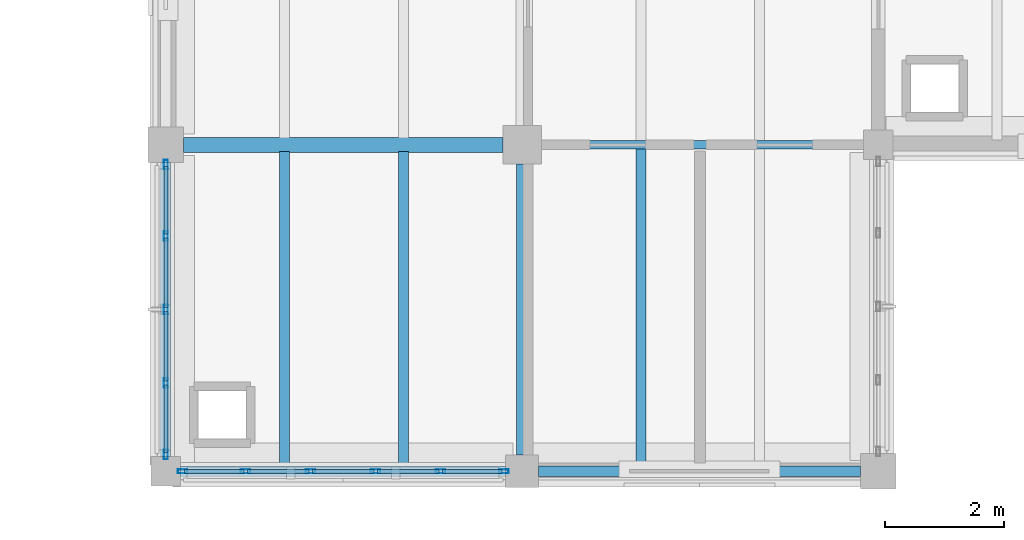
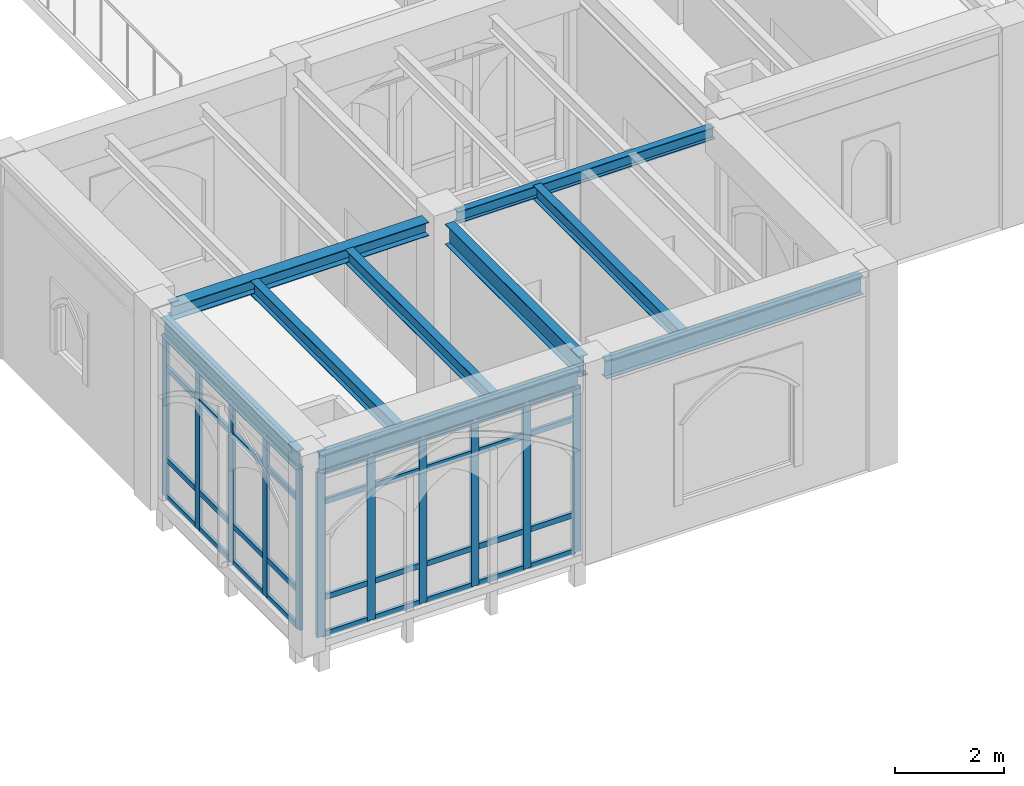
# One storey, part 43 of 127: 47 members, 9 beams, 2 elements without a shape of their own.
"""IFC4 building model written with IfcOpenShell, lengths in metres."""

from ifc_helpers import new_model, si_unit, direction, frame, origin, origin_2d, place, context, subcontext, project, spatial, hollow_rectangle, i_section, extrude, material, layer, layer_set, material_profile, profile_set, type_object, element, aggregate, save


model = new_model("IFC4")

# Units and contexts
model_context = context("Model", 3, precision=1e-05, world=origin(), true_north=direction((0.0, 1.0)))
body_context = subcontext(model_context, "Body", "Model", "MODEL_VIEW")
ifc_project = project(units=[si_unit("LENGTHUNIT", "METRE"), si_unit("AREAUNIT", "SQUARE_METRE"), si_unit("VOLUMEUNIT", "CUBIC_METRE"), si_unit("PLANEANGLEUNIT", "RADIAN"), si_unit("MASSUNIT", "GRAM", prefix="KILO")], contexts=[model_context])

# Site, building, storey
site_placement = place(None, origin())
site = spatial("IfcSite", under=ifc_project, at=site_placement, CompositionType="ELEMENT")
building_placement = place(site_placement, origin())
building = spatial("IfcBuilding", under=site, at=building_placement, Name="Cumevento Cable Car Station", CompositionType="ELEMENT")
storey_placement = place(building_placement, frame((0.0, 0.0, 4.5)))
storey = spatial("IfcBuildingStorey", under=building, at=storey_placement, Name="L02", CompositionType="ELEMENT", Elevation=4.5)

# Curtain wall, members
ifc_material_1 = material(Name="Anodised Bronze Aluminium AW-6063-T6", Category="aluminium")
ifc_layer_1 = layer(ifc_material_1, 0.159912109375)
ifc_layer_set_1 = layer_set([ifc_layer_1], Name="Anodised Bronze Aluminium AW-6063-T6")
curtain_wall_type_1 = type_object("IfcCurtainWallType", Name="Lancet Curtain Wall CW-01 1050", PredefinedType="NOTDEFINED", material=ifc_layer_set_1)
curtain_wall_1_placement = place(storey_placement, origin())
curtain_wall_1 = element("IfcCurtainWall", 1, at=curtain_wall_1_placement, inside=storey, type_object=curtain_wall_type_1, Name="Lancet Curtain Wall CW-01 L02 #32", PredefinedType="NOTDEFINED")
ifc_material_2 = material(Name="Anodised Bronze Aluminium AW-6063-T6", Category="aluminium")
ifc_material_profile_1 = material_profile(ifc_material_2, hollow_rectangle(XDim=0.06494140625, YDim=0.159912109375, WallThickness=0.00390625, at=origin_2d()), Name="ALUM65x160x4")
ifc_profile_set_1 = profile_set([ifc_material_profile_1], Name="Anodised Bronze Aluminium AW-6063-T6")
member_type_1 = type_object("IfcMemberType", Name="Curtain Mullion CWM-01 ALUM65x160x4", PredefinedType="MULLION", material=ifc_profile_set_1)
member_1_placement = place(storey_placement, frame((111.6923828125, 4.0, 0.159912109375), z_axis=(0.0, 0.0, 1.0), x_axis=(0.0, -1.0, 0.0)))
member_1 = element("IfcMember", 2, at=member_1_placement, type_object=member_type_1, Name="CW-01 mullion 1", PredefinedType="MULLION", context=body_context, shape_type="SweptSolid", body=[
    extrude(hollow_rectangle(XDim=0.06494140625, YDim=0.159912109375, WallThickness=0.00390625, at=origin_2d()), origin(), (0.0, 0.0, 1.0), 3.68310546875),
])
member_2_placement = place(storey_placement, frame((110.6298828125, 4.0, 0.159912109375), z_axis=(0.0, 0.0, 1.0), x_axis=(0.0, -1.0, 0.0)))
member_2 = element("IfcMember", 3, at=member_2_placement, type_object=member_type_1, Name="CW-01 mullion 2", PredefinedType="MULLION", context=body_context, shape_type="SweptSolid", body=[
    extrude(hollow_rectangle(XDim=0.06494140625, YDim=0.159912109375, WallThickness=0.00390625, at=origin_2d()), origin(), (0.0, 0.0, 1.0), 3.68310546875),
])
member_3_placement = place(storey_placement, frame((109.534912109375, 4.0, 0.159912109375), z_axis=(0.0, 0.0, 1.0), x_axis=(0.0, -1.0, 0.0)))
member_3 = element("IfcMember", 4, at=member_3_placement, type_object=member_type_1, Name="CW-01 mullion 3", PredefinedType="MULLION", context=body_context, shape_type="SweptSolid", body=[
    extrude(hollow_rectangle(XDim=0.06494140625, YDim=0.159912109375, WallThickness=0.00390625, at=origin_2d()), origin(), (0.0, 0.0, 1.0), 3.68310546875),
])
member_4_placement = place(storey_placement, frame((108.43994140625, 4.0, 0.159912109375), z_axis=(0.0, 0.0, 1.0), x_axis=(0.0, -1.0, 0.0)))
member_4 = element("IfcMember", 5, at=member_4_placement, type_object=member_type_1, Name="CW-01 mullion 4", PredefinedType="MULLION", context=body_context, shape_type="SweptSolid", body=[
    extrude(hollow_rectangle(XDim=0.06494140625, YDim=0.159912109375, WallThickness=0.00390625, at=origin_2d()), origin(), (0.0, 0.0, 1.0), 3.68310546875),
])
member_5_placement = place(storey_placement, frame((107.344970703125, 4.0, 0.159912109375), z_axis=(0.0, 0.0, 1.0), x_axis=(0.0, -1.0, 0.0)))
member_5 = element("IfcMember", 6, at=member_5_placement, type_object=member_type_1, Name="CW-01 mullion 5", PredefinedType="MULLION", context=body_context, shape_type="SweptSolid", body=[
    extrude(hollow_rectangle(XDim=0.06494140625, YDim=0.159912109375, WallThickness=0.00390625, at=origin_2d()), origin(), (0.0, 0.0, 1.0), 3.68310546875),
])
member_6_placement = place(storey_placement, frame((106.282470703125, 4.0, 0.159912109375), z_axis=(0.0, 0.0, 1.0), x_axis=(0.0, -1.0, 0.0)))
member_6 = element("IfcMember", 7, at=member_6_placement, type_object=member_type_1, Name="CW-01 mullion 6", PredefinedType="MULLION", context=body_context, shape_type="SweptSolid", body=[
    extrude(hollow_rectangle(XDim=0.06494140625, YDim=0.159912109375, WallThickness=0.00390625, at=origin_2d()), origin(), (0.0, 0.0, 1.0), 3.68310546875),
])

ifc_material_3 = material(Name="Anodised Bronze Aluminium AW-6063-T6", Category="aluminium")
ifc_layer_2 = layer(ifc_material_3, 0.172119140625)
ifc_layer_set_2 = layer_set([ifc_layer_2], Name="Anodised Bronze Aluminium AW-6063-T6")
curtain_wall_type_2 = type_object("IfcCurtainWallType", Name="Lancet Curtain Wall CW-03 1130", PredefinedType="NOTDEFINED", material=ifc_layer_set_2)
curtain_wall_2_placement = place(storey_placement, origin())
curtain_wall_2 = element("IfcCurtainWall", 8, at=curtain_wall_2_placement, inside=storey, type_object=curtain_wall_type_2, Name="Lancet Curtain Wall CW-03 L02 #34", PredefinedType="NOTDEFINED")
member_7_placement = place(storey_placement, frame((106.0, 4.282470703125, 0.260009765625), z_axis=(0.0, 0.0, 1.0), x_axis=(-1.0, 0.0, 0.0)))
member_7 = element("IfcMember", 9, at=member_7_placement, type_object=member_type_1, Name="CW-03 mullion 1", PredefinedType="MULLION", context=body_context, shape_type="SweptSolid", body=[
    extrude(hollow_rectangle(XDim=0.06494140625, YDim=0.159912109375, WallThickness=0.00390625, at=origin_2d()), origin(), (0.0, 0.0, 1.0), 3.5830078125),
])
member_8_placement = place(storey_placement, frame((106.0, 5.487548828125, 0.260009765625), z_axis=(0.0, 0.0, 1.0), x_axis=(-1.0, 0.0, 0.0)))
member_8 = element("IfcMember", 10, at=member_8_placement, type_object=member_type_1, Name="CW-03 mullion 2", PredefinedType="MULLION", context=body_context, shape_type="SweptSolid", body=[
    extrude(hollow_rectangle(XDim=0.06494140625, YDim=0.159912109375, WallThickness=0.00390625, at=origin_2d()), origin(), (0.0, 0.0, 1.0), 3.5830078125),
])
member_9_placement = place(storey_placement, frame((106.0, 6.72509765625, 0.260009765625), z_axis=(0.0, 0.0, 1.0), x_axis=(-1.0, 0.0, 0.0)))
member_9 = element("IfcMember", 11, at=member_9_placement, type_object=member_type_1, Name="CW-03 mullion 3", PredefinedType="MULLION", context=body_context, shape_type="SweptSolid", body=[
    extrude(hollow_rectangle(XDim=0.06494140625, YDim=0.159912109375, WallThickness=0.00390625, at=origin_2d()), origin(), (0.0, 0.0, 1.0), 3.5830078125),
])
member_10_placement = place(storey_placement, frame((106.0, 7.96240234375, 0.260009765625), z_axis=(0.0, 0.0, 1.0), x_axis=(-1.0, 0.0, 0.0)))
member_10 = element("IfcMember", 12, at=member_10_placement, type_object=member_type_1, Name="CW-03 mullion 4", PredefinedType="MULLION", context=body_context, shape_type="SweptSolid", body=[
    extrude(hollow_rectangle(XDim=0.06494140625, YDim=0.159912109375, WallThickness=0.00390625, at=origin_2d()), origin(), (0.0, 0.0, 1.0), 3.5830078125),
])
member_11_placement = place(storey_placement, frame((106.0, 9.16748046875, 0.260009765625), z_axis=(0.0, 0.0, 1.0), x_axis=(-1.0, 0.0, 0.0)))
member_11 = element("IfcMember", 13, at=member_11_placement, type_object=member_type_1, Name="CW-03 mullion 5", PredefinedType="MULLION", context=body_context, shape_type="SweptSolid", body=[
    extrude(hollow_rectangle(XDim=0.06494140625, YDim=0.159912109375, WallThickness=0.00390625, at=origin_2d()), origin(), (0.0, 0.0, 1.0), 3.5830078125),
])

# Member
ifc_material_4 = material(Name="Anodised Bronze Aluminium AW-6063-T6", Category="aluminium")
ifc_material_profile_2 = material_profile(ifc_material_4, hollow_rectangle(XDim=0.06494140625, YDim=0.1201171875, WallThickness=0.00390625, at=origin_2d()), Name="ALUT65x120x4")
ifc_profile_set_2 = profile_set([ifc_material_profile_2], Name="Anodised Bronze Aluminium AW-6063-T6")
member_type_2 = type_object("IfcMemberType", Name="Curtain Transom CWT-01 ALUT65x120x4", PredefinedType="USERDEFINED", material=ifc_profile_set_2)
member_12_placement = place(storey_placement, frame((111.659912109375, 4.0, 0.1923828125), z_axis=(-1.0, 0.0, 0.0), x_axis=(0.0, -1.0, 0.0)))
member_12 = element("IfcMember", 14, at=member_12_placement, type_object=member_type_2, Name="CW-01 transom 1.1", ObjectType="TRANSOM", PredefinedType="USERDEFINED", context=body_context, shape_type="SweptSolid", body=[
    extrude(hollow_rectangle(XDim=0.06494140625, YDim=0.1201171875, WallThickness=0.00390625, at=origin_2d()), origin(), (0.0, 0.0, 1.0), 0.997314453125),
])

member_13_placement = place(storey_placement, frame((111.659912109375, 4.0, 1.010009765625), z_axis=(-1.0, 0.0, 0.0), x_axis=(0.0, -1.0, 0.0)))
member_13 = element("IfcMember", 15, at=member_13_placement, type_object=member_type_2, Name="CW-01 transom 1.2", ObjectType="TRANSOM", PredefinedType="USERDEFINED", context=body_context, shape_type="SweptSolid", body=[
    extrude(hollow_rectangle(XDim=0.06494140625, YDim=0.1201171875, WallThickness=0.00390625, at=origin_2d()), origin(), (0.0, 0.0, 1.0), 0.997314453125),
])

member_14_placement = place(storey_placement, frame((111.659912109375, 4.0, 3.14306640625), z_axis=(-1.0, 0.0, 0.0), x_axis=(0.0, -1.0, 0.0)))
member_14 = element("IfcMember", 16, at=member_14_placement, type_object=member_type_2, Name="CW-01 transom 1.3", ObjectType="TRANSOM", PredefinedType="USERDEFINED", context=body_context, shape_type="SweptSolid", body=[
    extrude(hollow_rectangle(XDim=0.06494140625, YDim=0.1201171875, WallThickness=0.00390625, at=origin_2d()), origin(), (0.0, 0.0, 1.0), 0.997314453125),
])

member_15_placement = place(storey_placement, frame((111.659912109375, 4.0, 3.810546875), z_axis=(-1.0, 0.0, 0.0), x_axis=(0.0, -1.0, 0.0)))
member_15 = element("IfcMember", 17, at=member_15_placement, type_object=member_type_2, Name="CW-01 transom 1.4", ObjectType="TRANSOM", PredefinedType="USERDEFINED", context=body_context, shape_type="SweptSolid", body=[
    extrude(hollow_rectangle(XDim=0.06494140625, YDim=0.1201171875, WallThickness=0.00390625, at=origin_2d()), origin(), (0.0, 0.0, 1.0), 0.997314453125),
])

member_16_placement = place(storey_placement, frame((110.597412109375, 4.0, 0.1923828125), z_axis=(-1.0, 0.0, 0.0), x_axis=(0.0, -1.0, 0.0)))
member_16 = element("IfcMember", 18, at=member_16_placement, type_object=member_type_2, Name="CW-01 transom 2.1", ObjectType="TRANSOM", PredefinedType="USERDEFINED", context=body_context, shape_type="SweptSolid", body=[
    extrude(hollow_rectangle(XDim=0.06494140625, YDim=0.1201171875, WallThickness=0.00390625, at=origin_2d()), origin(), (0.0, 0.0, 1.0), 1.030029296875),
])

member_17_placement = place(storey_placement, frame((110.597412109375, 4.0, 1.010009765625), z_axis=(-1.0, 0.0, 0.0), x_axis=(0.0, -1.0, 0.0)))
member_17 = element("IfcMember", 19, at=member_17_placement, type_object=member_type_2, Name="CW-01 transom 2.2", ObjectType="TRANSOM", PredefinedType="USERDEFINED", context=body_context, shape_type="SweptSolid", body=[
    extrude(hollow_rectangle(XDim=0.06494140625, YDim=0.1201171875, WallThickness=0.00390625, at=origin_2d()), origin(), (0.0, 0.0, 1.0), 1.030029296875),
])

member_18_placement = place(storey_placement, frame((110.597412109375, 4.0, 3.14306640625), z_axis=(-1.0, 0.0, 0.0), x_axis=(0.0, -1.0, 0.0)))
member_18 = element("IfcMember", 20, at=member_18_placement, type_object=member_type_2, Name="CW-01 transom 2.3", ObjectType="TRANSOM", PredefinedType="USERDEFINED", context=body_context, shape_type="SweptSolid", body=[
    extrude(hollow_rectangle(XDim=0.06494140625, YDim=0.1201171875, WallThickness=0.00390625, at=origin_2d()), origin(), (0.0, 0.0, 1.0), 1.030029296875),
])

member_19_placement = place(storey_placement, frame((110.597412109375, 4.0, 3.810546875), z_axis=(-1.0, 0.0, 0.0), x_axis=(0.0, -1.0, 0.0)))
member_19 = element("IfcMember", 21, at=member_19_placement, type_object=member_type_2, Name="CW-01 transom 2.4", ObjectType="TRANSOM", PredefinedType="USERDEFINED", context=body_context, shape_type="SweptSolid", body=[
    extrude(hollow_rectangle(XDim=0.06494140625, YDim=0.1201171875, WallThickness=0.00390625, at=origin_2d()), origin(), (0.0, 0.0, 1.0), 1.030029296875),
])

member_20_placement = place(storey_placement, frame((109.50244140625, 4.0, 0.1923828125), z_axis=(-1.0, 0.0, 0.0), x_axis=(0.0, -1.0, 0.0)))
member_20 = element("IfcMember", 22, at=member_20_placement, type_object=member_type_2, Name="CW-01 transom 3.1", ObjectType="TRANSOM", PredefinedType="USERDEFINED", context=body_context, shape_type="SweptSolid", body=[
    extrude(hollow_rectangle(XDim=0.06494140625, YDim=0.1201171875, WallThickness=0.00390625, at=origin_2d()), origin(), (0.0, 0.0, 1.0), 1.030029296875),
])

member_21_placement = place(storey_placement, frame((109.50244140625, 4.0, 1.010009765625), z_axis=(-1.0, 0.0, 0.0), x_axis=(0.0, -1.0, 0.0)))
member_21 = element("IfcMember", 23, at=member_21_placement, type_object=member_type_2, Name="CW-01 transom 3.2", ObjectType="TRANSOM", PredefinedType="USERDEFINED", context=body_context, shape_type="SweptSolid", body=[
    extrude(hollow_rectangle(XDim=0.06494140625, YDim=0.1201171875, WallThickness=0.00390625, at=origin_2d()), origin(), (0.0, 0.0, 1.0), 1.030029296875),
])

member_22_placement = place(storey_placement, frame((109.50244140625, 4.0, 3.14306640625), z_axis=(-1.0, 0.0, 0.0), x_axis=(0.0, -1.0, 0.0)))
member_22 = element("IfcMember", 24, at=member_22_placement, type_object=member_type_2, Name="CW-01 transom 3.3", ObjectType="TRANSOM", PredefinedType="USERDEFINED", context=body_context, shape_type="SweptSolid", body=[
    extrude(hollow_rectangle(XDim=0.06494140625, YDim=0.1201171875, WallThickness=0.00390625, at=origin_2d()), origin(), (0.0, 0.0, 1.0), 1.030029296875),
])

member_23_placement = place(storey_placement, frame((109.50244140625, 4.0, 3.810546875), z_axis=(-1.0, 0.0, 0.0), x_axis=(0.0, -1.0, 0.0)))
member_23 = element("IfcMember", 25, at=member_23_placement, type_object=member_type_2, Name="CW-01 transom 3.4", ObjectType="TRANSOM", PredefinedType="USERDEFINED", context=body_context, shape_type="SweptSolid", body=[
    extrude(hollow_rectangle(XDim=0.06494140625, YDim=0.1201171875, WallThickness=0.00390625, at=origin_2d()), origin(), (0.0, 0.0, 1.0), 1.030029296875),
])

member_24_placement = place(storey_placement, frame((108.407470703125, 4.0, 0.1923828125), z_axis=(-1.0, 0.0, 0.0), x_axis=(0.0, -1.0, 0.0)))
member_24 = element("IfcMember", 26, at=member_24_placement, type_object=member_type_2, Name="CW-01 transom 4.1", ObjectType="TRANSOM", PredefinedType="USERDEFINED", context=body_context, shape_type="SweptSolid", body=[
    extrude(hollow_rectangle(XDim=0.06494140625, YDim=0.1201171875, WallThickness=0.00390625, at=origin_2d()), origin(), (0.0, 0.0, 1.0), 1.030029296875),
])

member_25_placement = place(storey_placement, frame((108.407470703125, 4.0, 1.010009765625), z_axis=(-1.0, 0.0, 0.0), x_axis=(0.0, -1.0, 0.0)))
member_25 = element("IfcMember", 27, at=member_25_placement, type_object=member_type_2, Name="CW-01 transom 4.2", ObjectType="TRANSOM", PredefinedType="USERDEFINED", context=body_context, shape_type="SweptSolid", body=[
    extrude(hollow_rectangle(XDim=0.06494140625, YDim=0.1201171875, WallThickness=0.00390625, at=origin_2d()), origin(), (0.0, 0.0, 1.0), 1.030029296875),
])

member_26_placement = place(storey_placement, frame((108.407470703125, 4.0, 3.14306640625), z_axis=(-1.0, 0.0, 0.0), x_axis=(0.0, -1.0, 0.0)))
member_26 = element("IfcMember", 28, at=member_26_placement, type_object=member_type_2, Name="CW-01 transom 4.3", ObjectType="TRANSOM", PredefinedType="USERDEFINED", context=body_context, shape_type="SweptSolid", body=[
    extrude(hollow_rectangle(XDim=0.06494140625, YDim=0.1201171875, WallThickness=0.00390625, at=origin_2d()), origin(), (0.0, 0.0, 1.0), 1.030029296875),
])

member_27_placement = place(storey_placement, frame((108.407470703125, 4.0, 3.810546875), z_axis=(-1.0, 0.0, 0.0), x_axis=(0.0, -1.0, 0.0)))
member_27 = element("IfcMember", 29, at=member_27_placement, type_object=member_type_2, Name="CW-01 transom 4.4", ObjectType="TRANSOM", PredefinedType="USERDEFINED", context=body_context, shape_type="SweptSolid", body=[
    extrude(hollow_rectangle(XDim=0.06494140625, YDim=0.1201171875, WallThickness=0.00390625, at=origin_2d()), origin(), (0.0, 0.0, 1.0), 1.030029296875),
])

member_28_placement = place(storey_placement, frame((107.3125, 4.0, 0.1923828125), z_axis=(-1.0, 0.0, 0.0), x_axis=(0.0, -1.0, 0.0)))
member_28 = element("IfcMember", 30, at=member_28_placement, type_object=member_type_2, Name="CW-01 transom 5.1", ObjectType="TRANSOM", PredefinedType="USERDEFINED", context=body_context, shape_type="SweptSolid", body=[
    extrude(hollow_rectangle(XDim=0.06494140625, YDim=0.1201171875, WallThickness=0.00390625, at=origin_2d()), origin(), (0.0, 0.0, 1.0), 0.99755859375),
])

member_29_placement = place(storey_placement, frame((107.3125, 4.0, 1.010009765625), z_axis=(-1.0, 0.0, 0.0), x_axis=(0.0, -1.0, 0.0)))
member_29 = element("IfcMember", 31, at=member_29_placement, type_object=member_type_2, Name="CW-01 transom 5.2", ObjectType="TRANSOM", PredefinedType="USERDEFINED", context=body_context, shape_type="SweptSolid", body=[
    extrude(hollow_rectangle(XDim=0.06494140625, YDim=0.1201171875, WallThickness=0.00390625, at=origin_2d()), origin(), (0.0, 0.0, 1.0), 0.99755859375),
])

member_30_placement = place(storey_placement, frame((107.3125, 4.0, 3.14306640625), z_axis=(-1.0, 0.0, 0.0), x_axis=(0.0, -1.0, 0.0)))
member_30 = element("IfcMember", 32, at=member_30_placement, type_object=member_type_2, Name="CW-01 transom 5.3", ObjectType="TRANSOM", PredefinedType="USERDEFINED", context=body_context, shape_type="SweptSolid", body=[
    extrude(hollow_rectangle(XDim=0.06494140625, YDim=0.1201171875, WallThickness=0.00390625, at=origin_2d()), origin(), (0.0, 0.0, 1.0), 0.99755859375),
])

member_31_placement = place(storey_placement, frame((107.3125, 4.0, 3.810546875), z_axis=(-1.0, 0.0, 0.0), x_axis=(0.0, -1.0, 0.0)))
member_31 = element("IfcMember", 33, at=member_31_placement, type_object=member_type_2, Name="CW-01 transom 5.4", ObjectType="TRANSOM", PredefinedType="USERDEFINED", context=body_context, shape_type="SweptSolid", body=[
    extrude(hollow_rectangle(XDim=0.06494140625, YDim=0.1201171875, WallThickness=0.00390625, at=origin_2d()), origin(), (0.0, 0.0, 1.0), 0.99755859375),
])

aggregate(curtain_wall_1, [member_1, member_2, member_3, member_4, member_5, member_6, member_12, member_13, member_14, member_15, member_16, member_17, member_18, member_19, member_20, member_21, member_22, member_23, member_24, member_25, member_26, member_27, member_28, member_29, member_30, member_31])

member_32_placement = place(storey_placement, frame((106.0, 4.31494140625, 0.29248046875), z_axis=(0.0, 1.0, 0.0), x_axis=(-1.0, 0.0, 0.0)))
member_32 = element("IfcMember", 34, at=member_32_placement, type_object=member_type_2, Name="CW-03 transom 1.1", ObjectType="TRANSOM", PredefinedType="USERDEFINED", context=body_context, shape_type="SweptSolid", body=[
    extrude(hollow_rectangle(XDim=0.06494140625, YDim=0.1201171875, WallThickness=0.00390625, at=origin_2d()), origin(), (0.0, 0.0, 1.0), 1.14013671875),
])

member_33_placement = place(storey_placement, frame((106.0, 4.31494140625, 1.110107421875), z_axis=(0.0, 1.0, 0.0), x_axis=(-1.0, 0.0, 0.0)))
member_33 = element("IfcMember", 35, at=member_33_placement, type_object=member_type_2, Name="CW-03 transom 1.2", ObjectType="TRANSOM", PredefinedType="USERDEFINED", context=body_context, shape_type="SweptSolid", body=[
    extrude(hollow_rectangle(XDim=0.06494140625, YDim=0.1201171875, WallThickness=0.00390625, at=origin_2d()), origin(), (0.0, 0.0, 1.0), 1.14013671875),
])

member_34_placement = place(storey_placement, frame((106.0, 4.31494140625, 3.14306640625), z_axis=(0.0, 1.0, 0.0), x_axis=(-1.0, 0.0, 0.0)))
member_34 = element("IfcMember", 36, at=member_34_placement, type_object=member_type_2, Name="CW-03 transom 1.3", ObjectType="TRANSOM", PredefinedType="USERDEFINED", context=body_context, shape_type="SweptSolid", body=[
    extrude(hollow_rectangle(XDim=0.06494140625, YDim=0.1201171875, WallThickness=0.00390625, at=origin_2d()), origin(), (0.0, 0.0, 1.0), 1.14013671875),
])

member_35_placement = place(storey_placement, frame((106.0, 4.31494140625, 3.810546875), z_axis=(0.0, 1.0, 0.0), x_axis=(-1.0, 0.0, 0.0)))
member_35 = element("IfcMember", 37, at=member_35_placement, type_object=member_type_2, Name="CW-03 transom 1.4", ObjectType="TRANSOM", PredefinedType="USERDEFINED", context=body_context, shape_type="SweptSolid", body=[
    extrude(hollow_rectangle(XDim=0.06494140625, YDim=0.1201171875, WallThickness=0.00390625, at=origin_2d()), origin(), (0.0, 0.0, 1.0), 1.14013671875),
])

member_36_placement = place(storey_placement, frame((106.0, 5.52001953125, 0.29248046875), z_axis=(0.0, 1.0, 0.0), x_axis=(-1.0, 0.0, 0.0)))
member_36 = element("IfcMember", 38, at=member_36_placement, type_object=member_type_2, Name="CW-03 transom 2.1", ObjectType="TRANSOM", PredefinedType="USERDEFINED", context=body_context, shape_type="SweptSolid", body=[
    extrude(hollow_rectangle(XDim=0.06494140625, YDim=0.1201171875, WallThickness=0.00390625, at=origin_2d()), origin(), (0.0, 0.0, 1.0), 1.17236328125),
])

member_37_placement = place(storey_placement, frame((106.0, 5.52001953125, 1.110107421875), z_axis=(0.0, 1.0, 0.0), x_axis=(-1.0, 0.0, 0.0)))
member_37 = element("IfcMember", 39, at=member_37_placement, type_object=member_type_2, Name="CW-03 transom 2.2", ObjectType="TRANSOM", PredefinedType="USERDEFINED", context=body_context, shape_type="SweptSolid", body=[
    extrude(hollow_rectangle(XDim=0.06494140625, YDim=0.1201171875, WallThickness=0.00390625, at=origin_2d()), origin(), (0.0, 0.0, 1.0), 1.17236328125),
])

member_38_placement = place(storey_placement, frame((106.0, 5.52001953125, 3.14306640625), z_axis=(0.0, 1.0, 0.0), x_axis=(-1.0, 0.0, 0.0)))
member_38 = element("IfcMember", 40, at=member_38_placement, type_object=member_type_2, Name="CW-03 transom 2.3", ObjectType="TRANSOM", PredefinedType="USERDEFINED", context=body_context, shape_type="SweptSolid", body=[
    extrude(hollow_rectangle(XDim=0.06494140625, YDim=0.1201171875, WallThickness=0.00390625, at=origin_2d()), origin(), (0.0, 0.0, 1.0), 1.17236328125),
])

member_39_placement = place(storey_placement, frame((106.0, 5.52001953125, 3.810546875), z_axis=(0.0, 1.0, 0.0), x_axis=(-1.0, 0.0, 0.0)))
member_39 = element("IfcMember", 41, at=member_39_placement, type_object=member_type_2, Name="CW-03 transom 2.4", ObjectType="TRANSOM", PredefinedType="USERDEFINED", context=body_context, shape_type="SweptSolid", body=[
    extrude(hollow_rectangle(XDim=0.06494140625, YDim=0.1201171875, WallThickness=0.00390625, at=origin_2d()), origin(), (0.0, 0.0, 1.0), 1.17236328125),
])

member_40_placement = place(storey_placement, frame((106.0, 6.757568359375, 0.29248046875), z_axis=(0.0, 1.0, 0.0), x_axis=(-1.0, 0.0, 0.0)))
member_40 = element("IfcMember", 42, at=member_40_placement, type_object=member_type_2, Name="CW-03 transom 3.1", ObjectType="TRANSOM", PredefinedType="USERDEFINED", context=body_context, shape_type="SweptSolid", body=[
    extrude(hollow_rectangle(XDim=0.06494140625, YDim=0.1201171875, WallThickness=0.00390625, at=origin_2d()), origin(), (0.0, 0.0, 1.0), 1.17236328125),
])

member_41_placement = place(storey_placement, frame((106.0, 6.757568359375, 1.110107421875), z_axis=(0.0, 1.0, 0.0), x_axis=(-1.0, 0.0, 0.0)))
member_41 = element("IfcMember", 43, at=member_41_placement, type_object=member_type_2, Name="CW-03 transom 3.2", ObjectType="TRANSOM", PredefinedType="USERDEFINED", context=body_context, shape_type="SweptSolid", body=[
    extrude(hollow_rectangle(XDim=0.06494140625, YDim=0.1201171875, WallThickness=0.00390625, at=origin_2d()), origin(), (0.0, 0.0, 1.0), 1.17236328125),
])

member_42_placement = place(storey_placement, frame((106.0, 6.757568359375, 3.14306640625), z_axis=(0.0, 1.0, 0.0), x_axis=(-1.0, 0.0, 0.0)))
member_42 = element("IfcMember", 44, at=member_42_placement, type_object=member_type_2, Name="CW-03 transom 3.3", ObjectType="TRANSOM", PredefinedType="USERDEFINED", context=body_context, shape_type="SweptSolid", body=[
    extrude(hollow_rectangle(XDim=0.06494140625, YDim=0.1201171875, WallThickness=0.00390625, at=origin_2d()), origin(), (0.0, 0.0, 1.0), 1.17236328125),
])

member_43_placement = place(storey_placement, frame((106.0, 6.757568359375, 3.810546875), z_axis=(0.0, 1.0, 0.0), x_axis=(-1.0, 0.0, 0.0)))
member_43 = element("IfcMember", 45, at=member_43_placement, type_object=member_type_2, Name="CW-03 transom 3.4", ObjectType="TRANSOM", PredefinedType="USERDEFINED", context=body_context, shape_type="SweptSolid", body=[
    extrude(hollow_rectangle(XDim=0.06494140625, YDim=0.1201171875, WallThickness=0.00390625, at=origin_2d()), origin(), (0.0, 0.0, 1.0), 1.17236328125),
])

member_44_placement = place(storey_placement, frame((106.0, 7.9951171875, 0.29248046875), z_axis=(0.0, 1.0, 0.0), x_axis=(-1.0, 0.0, 0.0)))
member_44 = element("IfcMember", 46, at=member_44_placement, type_object=member_type_2, Name="CW-03 transom 4.1", ObjectType="TRANSOM", PredefinedType="USERDEFINED", context=body_context, shape_type="SweptSolid", body=[
    extrude(hollow_rectangle(XDim=0.06494140625, YDim=0.1201171875, WallThickness=0.00390625, at=origin_2d()), origin(), (0.0, 0.0, 1.0), 1.139892578125),
])

member_45_placement = place(storey_placement, frame((106.0, 7.9951171875, 1.110107421875), z_axis=(0.0, 1.0, 0.0), x_axis=(-1.0, 0.0, 0.0)))
member_45 = element("IfcMember", 47, at=member_45_placement, type_object=member_type_2, Name="CW-03 transom 4.2", ObjectType="TRANSOM", PredefinedType="USERDEFINED", context=body_context, shape_type="SweptSolid", body=[
    extrude(hollow_rectangle(XDim=0.06494140625, YDim=0.1201171875, WallThickness=0.00390625, at=origin_2d()), origin(), (0.0, 0.0, 1.0), 1.139892578125),
])

member_46_placement = place(storey_placement, frame((106.0, 7.9951171875, 3.14306640625), z_axis=(0.0, 1.0, 0.0), x_axis=(-1.0, 0.0, 0.0)))
member_46 = element("IfcMember", 48, at=member_46_placement, type_object=member_type_2, Name="CW-03 transom 4.3", ObjectType="TRANSOM", PredefinedType="USERDEFINED", context=body_context, shape_type="SweptSolid", body=[
    extrude(hollow_rectangle(XDim=0.06494140625, YDim=0.1201171875, WallThickness=0.00390625, at=origin_2d()), origin(), (0.0, 0.0, 1.0), 1.139892578125),
])

member_47_placement = place(storey_placement, frame((106.0, 7.9951171875, 3.810546875), z_axis=(0.0, 1.0, 0.0), x_axis=(-1.0, 0.0, 0.0)))
member_47 = element("IfcMember", 49, at=member_47_placement, type_object=member_type_2, Name="CW-03 transom 4.4", ObjectType="TRANSOM", PredefinedType="USERDEFINED", context=body_context, shape_type="SweptSolid", body=[
    extrude(hollow_rectangle(XDim=0.06494140625, YDim=0.1201171875, WallThickness=0.00390625, at=origin_2d()), origin(), (0.0, 0.0, 1.0), 1.139892578125),
])

aggregate(curtain_wall_2, [member_7, member_8, member_9, member_10, member_11, member_32, member_33, member_34, member_35, member_36, member_37, member_38, member_39, member_40, member_41, member_42, member_43, member_44, member_45, member_46, member_47])

# Beams
ifc_material_5 = material(Name="Steel ASTM A572 Grade 50", Category="steel")
ifc_material_profile_3 = material_profile(ifc_material_5, i_section(OverallWidth=0.18994140625, OverallDepth=0.45703125, WebThickness=0.009033203125, FlangeThickness=0.014404296875, at=origin_2d()), Name="W460x74.0")
ifc_profile_set_3 = profile_set([ifc_material_profile_3], Name="Steel ASTM A572 Grade 50")
beam_type_1 = type_object("IfcBeamType", Name="Structural Beam BM-04 W460x74.0", PredefinedType="BEAM", material=ifc_profile_set_3)
beam_1_placement = place(storey_placement, frame((112.0, 4.27490234375, 4.021484375), z_axis=(0.0, 1.0, 0.0), x_axis=(-1.0, 0.0, 0.0)))
element("IfcBeam", 50, at=beam_1_placement, inside=storey, type_object=beam_type_1, Name="Beam BM-04 L02 #473", PredefinedType="BEAM", context=body_context, shape_type="SweptSolid", body=[
    extrude(i_section(OverallWidth=0.18994140625, OverallDepth=0.45703125, WebThickness=0.009033203125, FlangeThickness=0.014404296875, at=origin_2d()), origin(), (0.0, 0.0, 1.0), 4.900146484375),
])
ifc_material_6 = material(Name="Steel ASTM A572 Grade 50", Category="steel")
ifc_material_profile_4 = material_profile(ifc_material_6, i_section(OverallWidth=0.25390625, OverallDepth=0.305908203125, WebThickness=0.0087890625, FlangeThickness=0.0146484375, at=origin_2d()), Name="W310x79.0")
ifc_profile_set_4 = profile_set([ifc_material_profile_4], Name="Steel ASTM A572 Grade 50")
beam_type_2 = type_object("IfcBeamType", Name="Structural Beam BM-06 W310x79.0", PredefinedType="BEAM", material=ifc_profile_set_4)
beam_2_placement = place(storey_placement, frame((106.300048828125, 9.5, 4.096923828125), z_axis=(1.0, 0.0, 0.0), x_axis=(0.0, 1.0, 0.0)))
element("IfcBeam", 51, at=beam_2_placement, inside=storey, type_object=beam_type_2, Name="Beam BM-06 L02 #467", PredefinedType="BEAM", context=body_context, shape_type="SweptSolid", body=[
    extrude(i_section(OverallWidth=0.25390625, OverallDepth=0.305908203125, WebThickness=0.0087890625, FlangeThickness=0.0146484375, at=origin_2d()), origin(), (0.0, 0.0, 1.0), 5.375),
])
ifc_material_7 = material(Name="Steel ASTM A572 Grade 50", Category="steel")
ifc_material_profile_5 = material_profile(ifc_material_7, i_section(OverallWidth=0.14794921875, OverallDepth=0.26611328125, WebThickness=0.007568359375, FlangeThickness=0.012939453125, at=origin_2d()), Name="W250x44.8")
ifc_profile_set_5 = profile_set([ifc_material_profile_5], Name="Steel ASTM A572 Grade 50")
beam_type_3 = type_object("IfcBeamType", Name="Structural Beam BM-07 W250x44.8", PredefinedType="BEAM", material=ifc_profile_set_5)
beam_3_placement = place(storey_placement, frame((112.324951171875, 9.5, 4.0830078125), z_axis=(1.0, 0.0, 0.0), x_axis=(0.0, 1.0, 0.0)))
element("IfcBeam", 52, at=beam_3_placement, inside=storey, type_object=beam_type_3, Name="Beam BM-07 L02 #468", PredefinedType="BEAM", context=body_context, shape_type="SweptSolid", body=[
    extrude(i_section(OverallWidth=0.14794921875, OverallDepth=0.26611328125, WebThickness=0.007568359375, FlangeThickness=0.012939453125, at=origin_2d()), origin(), (0.0, 0.0, 1.0), 5.425048828125),
])
ifc_material_8 = material(Name="Steel ASTM A572 Grade 50", Category="steel")
ifc_material_profile_6 = material_profile(ifc_material_8, i_section(OverallWidth=0.1669921875, OverallDepth=0.31689453125, WebThickness=0.007568359375, FlangeThickness=0.01318359375, at=origin_2d()), Name="W310x52.0")
ifc_profile_set_6 = profile_set([ifc_material_profile_6], Name="Steel ASTM A572 Grade 50")
beam_type_4 = type_object("IfcBeamType", Name="Structural Joist JS-02 W310x52.0", PredefinedType="JOIST", material=ifc_profile_set_6)
for number, where, z_axis, x_axis, name in (
    (53, (108.0, 4.076904296875, 4.091552734375), (0.0, 1.0, 0.0), (-1.0, 0.0, 0.0), "Composite Floor Joist JS-02 L02 #744"),
    (54, (110.0, 4.076904296875, 4.091552734375), (0.0, 1.0, 0.0), (-1.0, 0.0, 0.0), "Composite Floor Joist JS-02 L02 #746"),
):
    element("IfcBeam", number, at=place(storey_placement, frame(where, z_axis=z_axis, x_axis=x_axis)), inside=storey, type_object=beam_type_4, Name=name, PredefinedType="JOIST", context=body_context, shape_type="SweptSolid", body=[
        extrude(i_section(OverallWidth=0.1669921875, OverallDepth=0.31689453125, WebThickness=0.007568359375, FlangeThickness=0.01318359375, at=origin_2d()), origin(), (0.0, 0.0, 1.0), 5.30810546875),
    ])
beam_4_placement = place(storey_placement, frame((114.0, 4.076904296875, 4.091552734375), z_axis=(0.0, 1.0, 0.0), x_axis=(-1.0, 0.0, 0.0)))
element("IfcBeam", 55, at=beam_4_placement, inside=storey, type_object=beam_type_4, Name="Composite Floor Joist JS-02 L02 #748", PredefinedType="JOIST", context=body_context, shape_type="SweptSolid", body=[
    extrude(i_section(OverallWidth=0.1669921875, OverallDepth=0.31689453125, WebThickness=0.007568359375, FlangeThickness=0.01318359375, at=origin_2d()), origin(), (0.0, 0.0, 1.0), 5.361083984375),
])
ifc_material_9 = material(Name="Steel ASTM A572 Grade 50", Category="steel")
ifc_material_profile_7 = material_profile(ifc_material_9, i_section(OverallWidth=0.177978515625, OverallDepth=0.406982421875, WebThickness=0.0078125, FlangeThickness=0.0126953125, at=origin_2d()), Name="W410x60.0")
ifc_profile_set_7 = profile_set([ifc_material_profile_7], Name="Steel ASTM A572 Grade 50")
beam_type_5 = type_object("IfcBeamType", Name="Structural Spandrel SP-01 W410x60.0", PredefinedType="SPANDREL", material=ifc_profile_set_7)
beam_5_placement = place(storey_placement, frame((106.25, 4.0, 4.04638671875), z_axis=(1.0, 0.0, 0.0), x_axis=(0.0, 1.0, 0.0)))
element("IfcBeam", 56, at=beam_5_placement, inside=storey, type_object=beam_type_5, Name="Beam SP-01 L02 #465", PredefinedType="SPANDREL", context=body_context, shape_type="SweptSolid", body=[
    extrude(i_section(OverallWidth=0.177978515625, OverallDepth=0.406982421875, WebThickness=0.0078125, FlangeThickness=0.0126953125, at=origin_2d()), origin(), (0.0, 0.0, 1.0), 5.47509765625),
])
beam_6_placement = place(storey_placement, frame((112.27490234375, 4.0, 4.04638671875), z_axis=(1.0, 0.0, 0.0), x_axis=(0.0, 1.0, 0.0)))
element("IfcBeam", 57, at=beam_6_placement, inside=storey, type_object=beam_type_5, Name="Beam SP-01 L02 #466", PredefinedType="SPANDREL", context=body_context, shape_type="SweptSolid", body=[
    extrude(i_section(OverallWidth=0.177978515625, OverallDepth=0.406982421875, WebThickness=0.0078125, FlangeThickness=0.0126953125, at=origin_2d()), origin(), (0.0, 0.0, 1.0), 5.425048828125),
])
beam_7_placement = place(storey_placement, frame((106.0, 4.25, 4.04638671875), z_axis=(0.0, 1.0, 0.0), x_axis=(-1.0, 0.0, 0.0)))
element("IfcBeam", 58, at=beam_7_placement, inside=storey, type_object=beam_type_5, Name="Beam SP-01 L02 #471", PredefinedType="SPANDREL", context=body_context, shape_type="SweptSolid", body=[
    extrude(i_section(OverallWidth=0.177978515625, OverallDepth=0.406982421875, WebThickness=0.0078125, FlangeThickness=0.0126953125, at=origin_2d()), origin(), (0.0, 0.0, 1.0), 4.949951171875),
])

save(model, "model.ifc")
